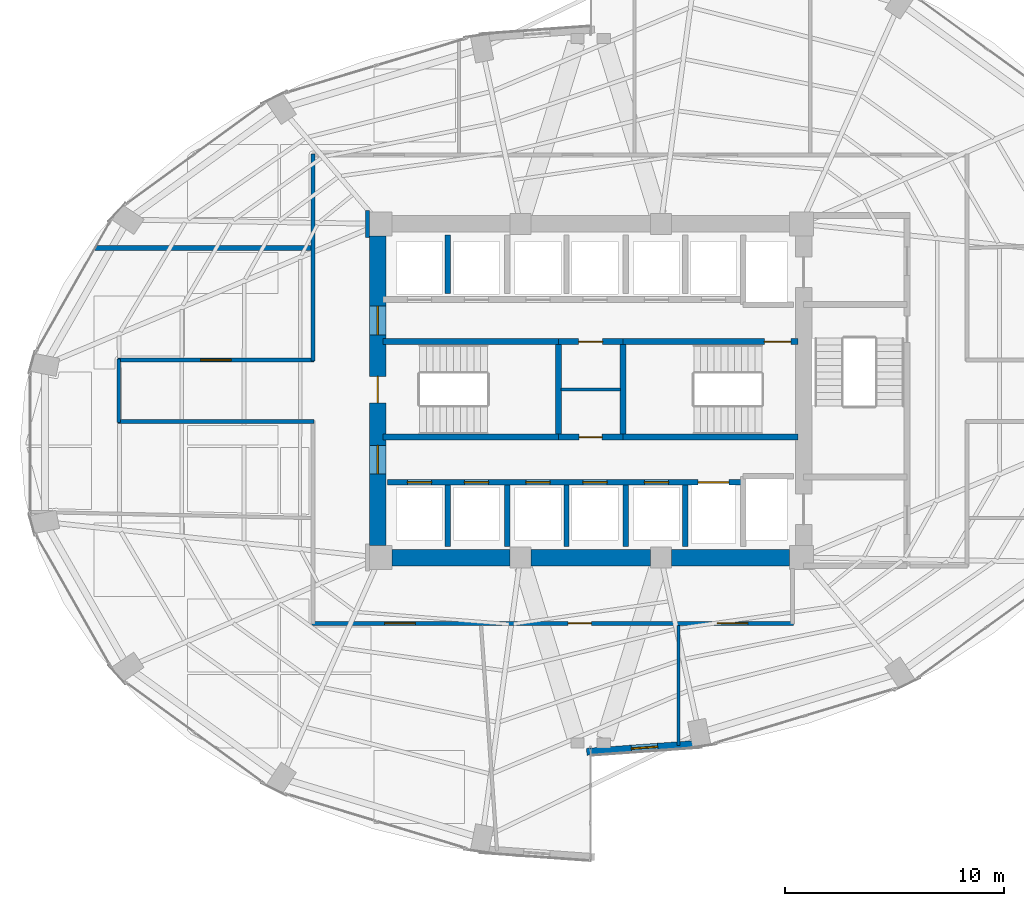
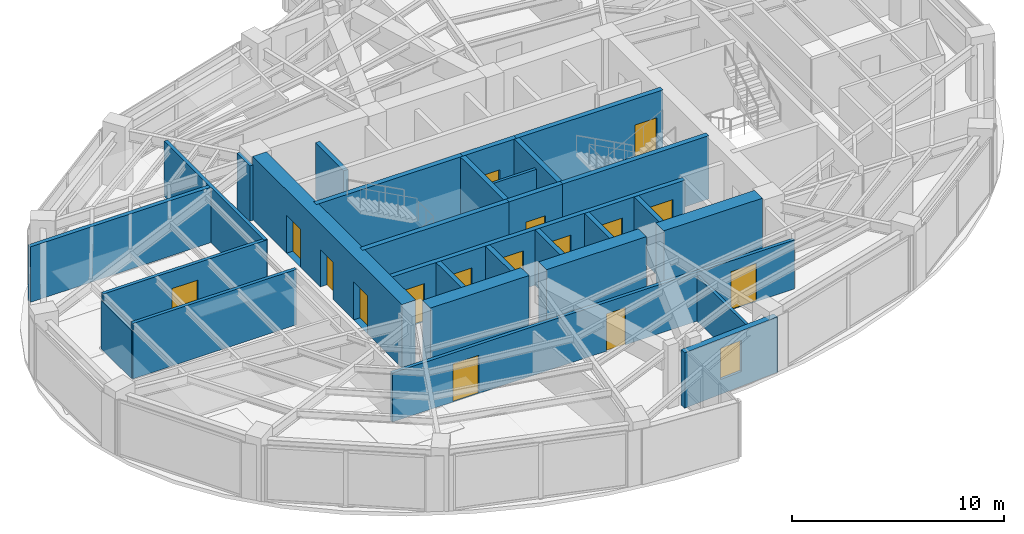
# One storey, part 20 of 24: 29 walls, 16 doors, 1 window, 17 openings.
"""IFC4 building model written with IfcOpenShell, lengths in metres."""

from ifc_helpers import new_model, si_unit, direction, frame, frame_2d, origin, place, context, subcontext, project, spatial, rectangle, extrude, material, layer, layer_set, type_object, element, fill, save


model = new_model("IFC4")

# Units and contexts
model_context = context("Model", 3, precision=1e-05, world=origin(), true_north=direction((0.0, 1.0)))
body_context = subcontext(model_context, "Body", "Model", "MODEL_VIEW")
ifc_project = project(units=[si_unit("LENGTHUNIT", "METRE"), si_unit("AREAUNIT", "SQUARE_METRE"), si_unit("VOLUMEUNIT", "CUBIC_METRE"), si_unit("PLANEANGLEUNIT", "RADIAN"), si_unit("MASSUNIT", "GRAM", prefix="KILO")], contexts=[model_context])

# Site, building, storey
site_placement = place(None, origin())
site = spatial("IfcSite", under=ifc_project, at=site_placement, CompositionType="ELEMENT")
building_placement = place(site_placement, origin())
building = spatial("IfcBuilding", under=site, at=building_placement, Name="Lazwardi Medical Tower", CompositionType="ELEMENT")
storey_placement = place(building_placement, frame((0.0, 0.0, 129.16796875)))
storey = spatial("IfcBuildingStorey", under=building, at=storey_placement, Name="L33", CompositionType="ELEMENT", Elevation=129.16796875)

# Wall
ifc_material_1 = material(Name="Fire-rated gypsum board on steel stud", Category="steel")
ifc_layer_1 = layer(ifc_material_1, 0.179931640625)
ifc_layer_set_1 = layer_set([ifc_layer_1], Name="Fire-rated gypsum board on steel stud")
wall_type_1 = type_object("IfcWallType", Name="WL-COR-180", PredefinedType="PARTITIONING", material=ifc_layer_set_1)
wall_1_placement = place(storey_placement, frame((14.5, 26.56005859375, 0.0), z_axis=(0.0, 0.0, 1.0), x_axis=(0.0, 1.0, 0.0)))
element("IfcWall", 1, at=wall_1_placement, inside=storey, type_object=wall_type_1, Name="L33 Corridor partition 1", PredefinedType="PARTITIONING", context=body_context, shape_type="SweptSolid", body=[
    extrude(rectangle(XDim=2.8798828125, YDim=0.179931640625, at=frame_2d((1.43994140625, 0.0))), origin(), (0.0, 0.0, 1.0), 2.782958984375),
])

# Wall, opening, door
wall_2_placement = place(storey_placement, frame((14.4599609375, 29.39990234375, 0.0), z_axis=(0.0, 0.0, 1.0), x_axis=(1.0, 0.0, 0.0)))
wall_2 = element("IfcWall", 2, at=wall_2_placement, inside=storey, type_object=wall_type_1, Name="L33 Corridor partition 2", PredefinedType="PARTITIONING", context=body_context, shape_type="SweptSolid", body=[
    extrude(rectangle(XDim=8.929931640625, YDim=0.179931640625, at=frame_2d((4.46484375, 0.0))), origin(), (0.0, 0.0, 1.0), 3.197998046875),
])
opening_1_placement = place(wall_2_placement, frame((3.764892578125, 0.0, 0.0)))
opening_1 = element("IfcOpeningElement", 3, at=opening_1_placement, cuts=wall_2, Name="Opening D-L33-015", PredefinedType="OPENING", context=body_context, shape_type="SweptSolid", body=[
    extrude(rectangle(XDim=1.39990234375, YDim=2.199951171875, at=frame_2d((0.699951171875, 1.10009765625))), frame((0.0, 0.099853515625, 0.0), z_axis=(0.0, -1.0, 0.0), x_axis=(1.0, 0.0, 0.0)), (0.0, 0.0, 1.0), 0.199951171875),
])
ifc_material_2 = material(Name="Anti-microbial laminate hospital leaf")
door_type_1 = type_object("IfcDoorType", Name="DR-BED-1400", OperationType="NOTDEFINED", PredefinedType="DOOR", material=ifc_material_2)
door_1_placement = place(opening_1_placement, origin())
door_1 = element("IfcDoor", 4, at=door_1_placement, inside=storey, type_object=door_type_1, Name="L33 Department Reception Foyer Door 09", OperationType="SINGLE_SWING_RIGHT", OverallHeight=2.199951171875, OverallWidth=1.39990234375, PredefinedType="DOOR", context=body_context, shape_type="SweptSolid", body=[
    extrude(rectangle(XDim=1.39990234375, YDim=2.199951171875, at=frame_2d((0.699951171875, 1.10009765625))), frame((0.0, 0.02490234375, 0.0), z_axis=(0.0, -1.0, 0.0), x_axis=(1.0, 0.0, 0.0)), (0.0, 0.0, 1.0), 0.050048828125),
])
fill(opening_1, door_1)

# Walls
wall_3_placement = place(storey_placement, frame((23.35009765625, 29.360107421875, 0.0), z_axis=(0.0, 0.0, 1.0), x_axis=(0.0, 1.0, 0.0)))
element("IfcWall", 5, at=wall_3_placement, inside=storey, type_object=wall_type_1, Name="L33 Corridor partition 3", PredefinedType="PARTITIONING", context=body_context, shape_type="SweptSolid", body=[
    extrude(rectangle(XDim=9.429931640625, YDim=0.179931640625, at=frame_2d((4.71484375, 0.0))), origin(), (0.0, 0.0, 1.0), 3.197998046875),
])
wall_4_placement = place(storey_placement, frame((25.830078125, 36.2099609375, 0.0), z_axis=(0.0, 0.0, 1.0), x_axis=(0.0, -1.0, 0.0)))
element("IfcWall", 6, at=wall_4_placement, inside=storey, type_object=wall_type_1, Name="L33 Corridor partition 11", PredefinedType="PARTITIONING", context=body_context, shape_type="SweptSolid", body=[
    extrude(rectangle(XDim=1.219970703125, YDim=0.179931640625, at=frame_2d((0.60986328125, 0.0))), origin(), (0.0, 0.0, 1.0), 3.197998046875),
])

# Wall, openings, doors
wall_5_placement = place(storey_placement, frame((45.239990234375, 17.39990234375, 0.0), z_axis=(0.0, 0.0, 1.0), x_axis=(-1.0, 0.0, 0.0)))
wall_5 = element("IfcWall", 7, at=wall_5_placement, inside=storey, type_object=wall_type_1, Name="L33 Corridor partition 14", PredefinedType="PARTITIONING", context=body_context, shape_type="SweptSolid", body=[
    extrude(rectangle(XDim=21.929931640625, YDim=0.179931640625, at=frame_2d((10.96484375, 0.0))), origin(), (0.0, 0.0, 1.0), 2.822998046875),
])
opening_2_placement = place(wall_5_placement, frame((17.22314453125, 0.0, 0.0)))
opening_2 = element("IfcOpeningElement", 8, at=opening_2_placement, cuts=wall_5, Name="Opening D-L33-007", PredefinedType="OPENING", context=body_context, shape_type="SweptSolid", body=[
    extrude(rectangle(XDim=1.39990234375, YDim=2.199951171875, at=frame_2d((0.699951171875, 1.10009765625))), frame((0.0, 0.099853515625, 0.0), z_axis=(0.0, -1.0, 0.0), x_axis=(1.0, 0.0, 0.0)), (0.0, 0.0, 1.0), 0.199951171875),
])
opening_3_placement = place(wall_5_placement, frame((9.212158203125, 0.0, 0.0)))
opening_3 = element("IfcOpeningElement", 9, at=opening_3_placement, cuts=wall_5, Name="Opening D-L33-008", PredefinedType="OPENING", context=body_context, shape_type="SweptSolid", body=[
    extrude(rectangle(XDim=1.050048828125, YDim=2.14990234375, at=frame_2d((0.52490234375, 1.074951171875))), frame((0.0, 0.099853515625, 0.0), z_axis=(0.0, -1.0, 0.0), x_axis=(1.0, 0.0, 0.0)), (0.0, 0.0, 1.0), 0.199951171875),
])
opening_4_placement = place(wall_5_placement, frame((2.0791015625, 0.0, 0.0)))
opening_4 = element("IfcOpeningElement", 10, at=opening_4_placement, cuts=wall_5, Name="Opening D-L33-009", PredefinedType="OPENING", context=body_context, shape_type="SweptSolid", body=[
    extrude(rectangle(XDim=1.39990234375, YDim=2.199951171875, at=frame_2d((0.699951171875, 1.10009765625))), frame((0.0, 0.099853515625, 0.0), z_axis=(0.0, -1.0, 0.0), x_axis=(1.0, 0.0, 0.0)), (0.0, 0.0, 1.0), 0.199951171875),
])
door_2_placement = place(opening_2_placement, origin())
door_2 = element("IfcDoor", 11, at=door_2_placement, inside=storey, type_object=door_type_1, Name="L33 Sky Lobby Door 01", OperationType="SINGLE_SWING_RIGHT", OverallHeight=2.199951171875, OverallWidth=1.39990234375, PredefinedType="DOOR", context=body_context, shape_type="SweptSolid", body=[
    extrude(rectangle(XDim=1.39990234375, YDim=2.199951171875, at=frame_2d((0.699951171875, 1.10009765625))), frame((0.0, 0.02490234375, 0.0), z_axis=(0.0, -1.0, 0.0), x_axis=(1.0, 0.0, 0.0)), (0.0, 0.0, 1.0), 0.050048828125),
])
fill(opening_2, door_2)
door_3_placement = place(opening_4_placement, origin())
door_3 = element("IfcDoor", 12, at=door_3_placement, inside=storey, type_object=door_type_1, Name="L33 Patient Day Lounge Door 03", OperationType="SINGLE_SWING_RIGHT", OverallHeight=2.199951171875, OverallWidth=1.39990234375, PredefinedType="DOOR", context=body_context, shape_type="SweptSolid", body=[
    extrude(rectangle(XDim=1.39990234375, YDim=2.199951171875, at=frame_2d((0.699951171875, 1.10009765625))), frame((0.0, 0.02490234375, 0.0), z_axis=(0.0, -1.0, 0.0), x_axis=(1.0, 0.0, 0.0)), (0.0, 0.0, 1.0), 0.050048828125),
])
fill(opening_4, door_3)
door_type_2 = type_object("IfcDoorType", Name="DR-CLN-1050", OperationType="NOTDEFINED", PredefinedType="DOOR", material=ifc_material_2)
door_4_placement = place(opening_3_placement, origin())
door_4 = element("IfcDoor", 13, at=door_4_placement, inside=storey, type_object=door_type_2, Name="L33 Outpatient Clinic Door 02", OperationType="SINGLE_SWING_LEFT", OverallHeight=2.14990234375, OverallWidth=1.050048828125, PredefinedType="DOOR", context=body_context, shape_type="SweptSolid", body=[
    extrude(rectangle(XDim=1.050048828125, YDim=2.14990234375, at=frame_2d((0.52490234375, 1.074951171875))), frame((0.0, 0.02490234375, 0.0), z_axis=(0.0, -1.0, 0.0), x_axis=(1.0, 0.0, 0.0)), (0.0, 0.0, 1.0), 0.050048828125),
])
fill(opening_3, door_4)

# Wall
wall_6_placement = place(storey_placement, frame((23.389892578125, 26.60009765625, 0.0), z_axis=(0.0, 0.0, 1.0), x_axis=(-1.0, 0.0, 0.0)))
element("IfcWall", 14, at=wall_6_placement, inside=storey, type_object=wall_type_1, Name="L33 Corridor partition 16", PredefinedType="PARTITIONING", context=body_context, shape_type="SweptSolid", body=[
    extrude(rectangle(XDim=8.929931640625, YDim=0.179931640625, at=frame_2d((4.46484375, 0.0))), origin(), (0.0, 0.0, 1.0), 3.197998046875),
])

# Wall, openings, doors
ifc_material_3 = material(Name="Concrete C70/85", Category="concrete")
ifc_layer_2 = layer(ifc_material_3, 0.75)
ifc_layer_set_2 = layer_set([ifc_layer_2], Name="Concrete C70/85")
wall_type_2 = type_object("IfcWallType", Name="WL-CORE-750", PredefinedType="SHEAR", material=ifc_layer_set_2)
wall_7_placement = place(storey_placement, frame((26.300048828125, 20.949951171875, 0.0), z_axis=(0.0, 0.0, 1.0), x_axis=(0.0, 1.0, 0.0)))
wall_7 = element("IfcWall", 15, at=wall_7_placement, inside=storey, type_object=wall_type_2, Name="Core wall CW-S2 west L33", PredefinedType="SHEAR", context=body_context, shape_type="SweptSolid", body=[
    extrude(rectangle(XDim=14.10009765625, YDim=0.75, at=frame_2d((7.050048828125, 0.0))), origin(), (0.0, 0.0, 1.0), 3.64794921875),
])
opening_5_placement = place(wall_7_placement, frame((6.5, 0.0, 0.0)))
opening_5 = element("IfcOpeningElement", 16, at=opening_5_placement, cuts=wall_7, Name="Opening D-L33-016", PredefinedType="OPENING", context=body_context, shape_type="SweptSolid", body=[
    extrude(rectangle(XDim=1.199951171875, YDim=2.14990234375, at=frame_2d((0.60009765625, 1.074951171875))), frame((0.0, 0.385009765625, 0.0), z_axis=(0.0, -1.0, 0.0), x_axis=(1.0, 0.0, 0.0)), (0.0, 0.0, 1.0), 0.77001953125),
])
opening_6_placement = place(wall_7_placement, frame((9.60009765625, 0.0, 0.0)))
opening_6 = element("IfcOpeningElement", 17, at=opening_6_placement, cuts=wall_7, Name="Opening D-L33-005", PredefinedType="OPENING", context=body_context, shape_type="SweptSolid", body=[
    extrude(rectangle(XDim=1.300048828125, YDim=2.199951171875, at=frame_2d((0.64990234375, 1.10009765625))), frame((0.0, 0.385009765625, 0.0), z_axis=(0.0, -1.0, 0.0), x_axis=(1.0, 0.0, 0.0)), (0.0, 0.0, 1.0), 0.77001953125),
])
opening_7_placement = place(wall_7_placement, frame((3.260009765625, 0.0, 0.0)))
opening_7 = element("IfcOpeningElement", 18, at=opening_7_placement, cuts=wall_7, Name="Opening D-L33-006", PredefinedType="OPENING", context=body_context, shape_type="SweptSolid", body=[
    extrude(rectangle(XDim=1.300048828125, YDim=2.199951171875, at=frame_2d((0.64990234375, 1.10009765625))), frame((0.0, 0.385009765625, 0.0), z_axis=(0.0, -1.0, 0.0), x_axis=(1.0, 0.0, 0.0)), (0.0, 0.0, 1.0), 0.77001953125),
])
ifc_material_4 = material(Name="Fire-rated steel leaf and frame", Category="steel")
door_type_3 = type_object("IfcDoorType", Name="DR-FFL-1300", OperationType="NOTDEFINED", PredefinedType="DOOR", material=ifc_material_4)
door_5_placement = place(opening_6_placement, origin())
door_5 = element("IfcDoor", 19, at=door_5_placement, inside=storey, type_object=door_type_3, Name="L33 North Lift Lobby Door", OperationType="SINGLE_SWING_LEFT", OverallHeight=2.199951171875, OverallWidth=1.300048828125, PredefinedType="DOOR", context=body_context, shape_type="SweptSolid", body=[
    extrude(rectangle(XDim=1.300048828125, YDim=2.199951171875, at=frame_2d((0.64990234375, 1.10009765625))), frame((0.0, 0.02490234375, 0.0), z_axis=(0.0, -1.0, 0.0), x_axis=(1.0, 0.0, 0.0)), (0.0, 0.0, 1.0), 0.050048828125),
])
fill(opening_6, door_5)
door_6_placement = place(opening_7_placement, origin())
door_6 = element("IfcDoor", 20, at=door_6_placement, inside=storey, type_object=door_type_3, Name="L33 South Lift Lobby Door", OperationType="SINGLE_SWING_RIGHT", OverallHeight=2.199951171875, OverallWidth=1.300048828125, PredefinedType="DOOR", context=body_context, shape_type="SweptSolid", body=[
    extrude(rectangle(XDim=1.300048828125, YDim=2.199951171875, at=frame_2d((0.64990234375, 1.10009765625))), frame((0.0, 0.02490234375, 0.0), z_axis=(0.0, -1.0, 0.0), x_axis=(1.0, 0.0, 0.0)), (0.0, 0.0, 1.0), 0.050048828125),
])
fill(opening_7, door_6)
door_type_4 = type_object("IfcDoorType", Name="DR-STR-1200", OperationType="NOTDEFINED", PredefinedType="DOOR", material=ifc_material_4)
door_7_placement = place(opening_5_placement, origin())
door_7 = element("IfcDoor", 21, at=door_7_placement, inside=storey, type_object=door_type_4, Name="L33 Exit Stair ST1 Door", OperationType="SINGLE_SWING_LEFT", OverallHeight=2.14990234375, OverallWidth=1.199951171875, PredefinedType="DOOR", context=body_context, shape_type="SweptSolid", body=[
    extrude(rectangle(XDim=1.199951171875, YDim=2.14990234375, at=frame_2d((0.60009765625, 1.074951171875))), frame((0.0, 0.02490234375, 0.0), z_axis=(0.0, -1.0, 0.0), x_axis=(1.0, 0.0, 0.0)), (0.0, 0.0, 1.0), 0.050048828125),
])
fill(opening_5, door_7)

# Walls
wall_8_placement = place(storey_placement, frame((26.949951171875, 20.39990234375, 0.0), z_axis=(0.0, 0.0, 1.0), x_axis=(1.0, 0.0, 0.0)))
element("IfcWall", 22, at=wall_8_placement, inside=storey, type_object=wall_type_2, Name="Core wall CW-S2 S1 L33", PredefinedType="SHEAR", context=body_context, shape_type="SweptSolid", body=[
    extrude(rectangle(XDim=5.375, YDim=0.75, at=frame_2d((2.6875, 0.0))), origin(), (0.0, 0.0, 1.0), 3.64794921875),
])
wall_9_placement = place(storey_placement, frame((33.27490234375, 20.39990234375, 0.0), z_axis=(0.0, 0.0, 1.0), x_axis=(1.0, 0.0, 0.0)))
element("IfcWall", 23, at=wall_9_placement, inside=storey, type_object=wall_type_2, Name="Core wall CW-S2 S2 L33", PredefinedType="SHEAR", context=body_context, shape_type="SweptSolid", body=[
    extrude(rectangle(XDim=5.4501953125, YDim=0.75, at=frame_2d((2.72509765625, 0.0))), origin(), (0.0, 0.0, 1.0), 3.64794921875),
])
wall_10_placement = place(storey_placement, frame((39.675048828125, 20.39990234375, 0.0), z_axis=(0.0, 0.0, 1.0), x_axis=(1.0, 0.0, 0.0)))
element("IfcWall", 24, at=wall_10_placement, inside=storey, type_object=wall_type_2, Name="Core wall CW-S2 S3 L33", PredefinedType="SHEAR", context=body_context, shape_type="SweptSolid", body=[
    extrude(rectangle(XDim=5.375, YDim=0.75, at=frame_2d((2.6875, 0.0))), origin(), (0.0, 0.0, 1.0), 3.64794921875),
])

# Wall, opening, window
ifc_material_5 = material(Name="Precast concrete C45/55", Category="concrete")
ifc_layer_3 = layer(ifc_material_5, 0.320068359375)
ifc_layer_set_3 = layer_set([ifc_layer_3], Name="Precast concrete C45/55")
wall_type_3 = type_object("IfcWallType", Name="WL-IWAN-320", PredefinedType="SOLIDWALL", material=ifc_layer_set_3)
wall_11_placement = place(storey_placement, frame((35.820556640625, 11.547119140625, 0.0), z_axis=(0.0, 0.0, 1.0), x_axis=(0.997432364291, 0.071614793619, 0.0)))
wall_11 = element("IfcWall", 25, at=wall_11_placement, inside=storey, type_object=wall_type_3, Name="L33 Iwan Portal Return Wall SE_ret", PredefinedType="SOLIDWALL", context=body_context, shape_type="SweptSolid", body=[
    extrude(rectangle(XDim=5.2841796875, YDim=0.320068359375, at=frame_2d((2.64208984375, 0.0))), origin(), (0.0, 0.0, 1.0), 3.197998046875),
])
opening_8_placement = place(wall_11_placement, frame((2.0419921875, 0.0, 0.85009765625)))
opening_8 = element("IfcOpeningElement", 26, at=opening_8_placement, cuts=wall_11, Name="Opening WN-04", PredefinedType="OPENING", context=body_context, shape_type="SweptSolid", body=[
    extrude(rectangle(XDim=1.199951171875, YDim=1.800048828125, at=frame_2d((0.60009765625, 0.89990234375))), frame((0.0, 0.169921875, 0.0), z_axis=(0.0, -1.0, 0.0), x_axis=(1.0, 0.0, 0.0)), (0.0, 0.0, 1.0), 0.340087890625),
])
ifc_material_6 = material(Name="Low-e bronze solar control double glazing", Category="glass")
window_type = type_object("IfcWindowType", Name="WIN-DRUM-1200", PartitioningType="SINGLE_PANEL", PredefinedType="WINDOW", material=ifc_material_6)
window_placement = place(opening_8_placement, origin())
window = element("IfcWindow", 27, at=window_placement, inside=storey, type_object=window_type, Name="L33 Iwan Slot Window SE_ret", OverallHeight=1.800048828125, OverallWidth=1.199951171875, PartitioningType="SINGLE_PANEL", PredefinedType="WINDOW", context=body_context, shape_type="SweptSolid", body=[
    extrude(rectangle(XDim=1.199951171875, YDim=1.800048828125, at=frame_2d((0.60009765625, 0.89990234375))), frame((0.0, 0.030029296875, 0.0), z_axis=(0.0, -1.0, 0.0), x_axis=(1.0, 0.0, 0.0)), (0.0, 0.0, 1.0), 0.06005859375),
])
fill(opening_8, window)

# Wall, openings, doors
ifc_material_7 = material(Name="Autoclaved aerated concrete blockwork", Category="masonry")
ifc_layer_4 = layer(ifc_material_7, 0.25)
ifc_layer_set_4 = layer_set([ifc_layer_4], Name="Autoclaved aerated concrete blockwork")
wall_type_4 = type_object("IfcWallType", Name="WL-SHAFT-250", PredefinedType="SOLIDWALL", material=ifc_layer_set_4)
wall_12_placement = place(storey_placement, frame((26.75, 23.830078125, 0.0), z_axis=(0.0, 0.0, 1.0), x_axis=(1.0, 0.0, 0.0)))
wall_12 = element("IfcWall", 28, at=wall_12_placement, inside=storey, type_object=wall_type_4, Name="L33 South lift bank front wall", PredefinedType="SOLIDWALL", context=body_context, shape_type="SweptSolid", body=[
    extrude(rectangle(XDim=16.199951171875, YDim=0.25, at=frame_2d((8.10009765625, 0.0))), origin(), (0.0, 0.0, 1.0), 3.197998046875),
])
opening_9_placement = place(wall_12_placement, frame((0.89990234375, 0.0, 0.0)))
opening_9 = element("IfcOpeningElement", 29, at=opening_9_placement, cuts=wall_12, Name="Opening LD-L33-006", PredefinedType="OPENING", context=body_context, shape_type="SweptSolid", body=[
    extrude(rectangle(XDim=1.10009765625, YDim=2.199951171875, at=frame_2d((0.550048828125, 1.10009765625))), frame((0.0, 0.135009765625, 0.0), z_axis=(0.0, -1.0, 0.0), x_axis=(1.0, 0.0, 0.0)), (0.0, 0.0, 1.0), 0.27001953125),
])
opening_10_placement = place(wall_12_placement, frame((3.5, 0.0, 0.0)))
opening_10 = element("IfcOpeningElement", 30, at=opening_10_placement, cuts=wall_12, Name="Opening LD-L33-007", PredefinedType="OPENING", context=body_context, shape_type="SweptSolid", body=[
    extrude(rectangle(XDim=1.10009765625, YDim=2.199951171875, at=frame_2d((0.550048828125, 1.10009765625))), frame((0.0, 0.135009765625, 0.0), z_axis=(0.0, -1.0, 0.0), x_axis=(1.0, 0.0, 0.0)), (0.0, 0.0, 1.0), 0.27001953125),
])
opening_11_placement = place(wall_12_placement, frame((6.300048828125, 0.0, 0.0)))
opening_11 = element("IfcOpeningElement", 31, at=opening_11_placement, cuts=wall_12, Name="Opening LD-L33-010", PredefinedType="OPENING", context=body_context, shape_type="SweptSolid", body=[
    extrude(rectangle(XDim=1.10009765625, YDim=2.199951171875, at=frame_2d((0.550048828125, 1.10009765625))), frame((0.0, 0.135009765625, 0.0), z_axis=(0.0, -1.0, 0.0), x_axis=(1.0, 0.0, 0.0)), (0.0, 0.0, 1.0), 0.27001953125),
])
opening_12_placement = place(wall_12_placement, frame((8.89990234375, 0.0, 0.0)))
opening_12 = element("IfcOpeningElement", 32, at=opening_12_placement, cuts=wall_12, Name="Opening LD-L33-011", PredefinedType="OPENING", context=body_context, shape_type="SweptSolid", body=[
    extrude(rectangle(XDim=1.10009765625, YDim=2.199951171875, at=frame_2d((0.550048828125, 1.10009765625))), frame((0.0, 0.135009765625, 0.0), z_axis=(0.0, -1.0, 0.0), x_axis=(1.0, 0.0, 0.0)), (0.0, 0.0, 1.0), 0.27001953125),
])
opening_13_placement = place(wall_12_placement, frame((11.699951171875, 0.0, 0.0)))
opening_13 = element("IfcOpeningElement", 33, at=opening_13_placement, cuts=wall_12, Name="Opening LD-L33-014", PredefinedType="OPENING", context=body_context, shape_type="SweptSolid", body=[
    extrude(rectangle(XDim=1.10009765625, YDim=2.199951171875, at=frame_2d((0.550048828125, 1.10009765625))), frame((0.0, 0.135009765625, 0.0), z_axis=(0.0, -1.0, 0.0), x_axis=(1.0, 0.0, 0.0)), (0.0, 0.0, 1.0), 0.27001953125),
])
opening_14_placement = place(wall_12_placement, frame((14.14990234375, 0.0, 0.0)))
opening_14 = element("IfcOpeningElement", 34, at=opening_14_placement, cuts=wall_12, Name="Opening LD-L33-003", PredefinedType="OPENING", context=body_context, shape_type="SweptSolid", body=[
    extrude(rectangle(XDim=1.39990234375, YDim=2.300048828125, at=frame_2d((0.699951171875, 1.14990234375))), frame((0.0, 0.135009765625, 0.0), z_axis=(0.0, -1.0, 0.0), x_axis=(1.0, 0.0, 0.0)), (0.0, 0.0, 1.0), 0.27001953125),
])
ifc_material_8 = material(Name="Brushed bronze stainless steel landing door", Category="steel")
door_type_5 = type_object("IfcDoorType", Name="DR-LFT-1100", OperationType="NOTDEFINED", PredefinedType="DOOR", material=ifc_material_8)
door_8_placement = place(opening_9_placement, origin())
door_8 = element("IfcDoor", 35, at=door_8_placement, inside=storey, type_object=door_type_5, Name="L33 Lift Landing Door PL-03", OperationType="SLIDING_TO_LEFT", OverallHeight=2.199951171875, OverallWidth=1.10009765625, PredefinedType="DOOR", context=body_context, shape_type="SweptSolid", body=[
    extrude(rectangle(XDim=1.10009765625, YDim=2.199951171875, at=frame_2d((0.550048828125, 1.10009765625))), frame((0.0, 0.02490234375, 0.0), z_axis=(0.0, -1.0, 0.0), x_axis=(1.0, 0.0, 0.0)), (0.0, 0.0, 1.0), 0.050048828125),
])
fill(opening_9, door_8)
door_9_placement = place(opening_10_placement, origin())
door_9 = element("IfcDoor", 36, at=door_9_placement, inside=storey, type_object=door_type_5, Name="L33 Lift Landing Door PL-04", OperationType="SLIDING_TO_LEFT", OverallHeight=2.199951171875, OverallWidth=1.10009765625, PredefinedType="DOOR", context=body_context, shape_type="SweptSolid", body=[
    extrude(rectangle(XDim=1.10009765625, YDim=2.199951171875, at=frame_2d((0.550048828125, 1.10009765625))), frame((0.0, 0.02490234375, 0.0), z_axis=(0.0, -1.0, 0.0), x_axis=(1.0, 0.0, 0.0)), (0.0, 0.0, 1.0), 0.050048828125),
])
fill(opening_10, door_9)
door_10_placement = place(opening_11_placement, origin())
door_10 = element("IfcDoor", 37, at=door_10_placement, inside=storey, type_object=door_type_5, Name="L33 Lift Landing Door PL-07", OperationType="SLIDING_TO_LEFT", OverallHeight=2.199951171875, OverallWidth=1.10009765625, PredefinedType="DOOR", context=body_context, shape_type="SweptSolid", body=[
    extrude(rectangle(XDim=1.10009765625, YDim=2.199951171875, at=frame_2d((0.550048828125, 1.10009765625))), frame((0.0, 0.02490234375, 0.0), z_axis=(0.0, -1.0, 0.0), x_axis=(1.0, 0.0, 0.0)), (0.0, 0.0, 1.0), 0.050048828125),
])
fill(opening_11, door_10)
door_11_placement = place(opening_12_placement, origin())
door_11 = element("IfcDoor", 38, at=door_11_placement, inside=storey, type_object=door_type_5, Name="L33 Lift Landing Door PL-08", OperationType="SLIDING_TO_LEFT", OverallHeight=2.199951171875, OverallWidth=1.10009765625, PredefinedType="DOOR", context=body_context, shape_type="SweptSolid", body=[
    extrude(rectangle(XDim=1.10009765625, YDim=2.199951171875, at=frame_2d((0.550048828125, 1.10009765625))), frame((0.0, 0.02490234375, 0.0), z_axis=(0.0, -1.0, 0.0), x_axis=(1.0, 0.0, 0.0)), (0.0, 0.0, 1.0), 0.050048828125),
])
fill(opening_12, door_11)
door_12_placement = place(opening_13_placement, origin())
door_12 = element("IfcDoor", 39, at=door_12_placement, inside=storey, type_object=door_type_5, Name="L33 Lift Landing Door PL-11", OperationType="SLIDING_TO_LEFT", OverallHeight=2.199951171875, OverallWidth=1.10009765625, PredefinedType="DOOR", context=body_context, shape_type="SweptSolid", body=[
    extrude(rectangle(XDim=1.10009765625, YDim=2.199951171875, at=frame_2d((0.550048828125, 1.10009765625))), frame((0.0, 0.02490234375, 0.0), z_axis=(0.0, -1.0, 0.0), x_axis=(1.0, 0.0, 0.0)), (0.0, 0.0, 1.0), 0.050048828125),
])
fill(opening_13, door_12)
ifc_material_9 = material(Name="Brushed stainless steel bed-lift landing door", Category="steel")
door_type_6 = type_object("IfcDoorType", Name="DR-LFT-1400", OperationType="NOTDEFINED", PredefinedType="DOOR", material=ifc_material_9)
door_13_placement = place(opening_14_placement, origin())
door_13 = element("IfcDoor", 40, at=door_13_placement, inside=storey, type_object=door_type_6, Name="L33 Lift Landing Door FL-03", OperationType="SLIDING_TO_LEFT", OverallHeight=2.300048828125, OverallWidth=1.39990234375, PredefinedType="DOOR", context=body_context, shape_type="SweptSolid", body=[
    extrude(rectangle(XDim=1.39990234375, YDim=2.300048828125, at=frame_2d((0.699951171875, 1.14990234375))), frame((0.0, 0.02490234375, 0.0), z_axis=(0.0, -1.0, 0.0), x_axis=(1.0, 0.0, 0.0)), (0.0, 0.0, 1.0), 0.050048828125),
])
fill(opening_14, door_13)

# Walls
wall_13_placement = place(storey_placement, frame((29.5, 32.419921875, 0.0), z_axis=(0.0, 0.0, 1.0), x_axis=(0.0, 1.0, 0.0)))
element("IfcWall", 41, at=wall_13_placement, inside=storey, type_object=wall_type_4, Name="L33 North hoistway divider", PredefinedType="SOLIDWALL", context=body_context, shape_type="SweptSolid", body=[
    extrude(rectangle(XDim=2.68017578125, YDim=0.25, at=frame_2d((1.340087890625, 0.0))), origin(), (0.0, 0.0, 1.0), 3.197998046875),
])
for number, where, z_axis, x_axis, name in (
    (42, (29.5, 20.89990234375, 0.0), (0.0, 0.0, 1.0), (0.0, 1.0, 0.0), "L33 South hoistway divider"),
    (43, (32.199951171875, 20.89990234375, 0.0), (0.0, 0.0, 1.0), (0.0, 1.0, 0.0), "L33 South hoistway divider"),
    (44, (34.89990234375, 20.89990234375, 0.0), (0.0, 0.0, 1.0), (0.0, 1.0, 0.0), "L33 South hoistway divider"),
    (45, (37.60009765625, 20.89990234375, 0.0), (0.0, 0.0, 1.0), (0.0, 1.0, 0.0), "L33 South hoistway divider"),
    (46, (40.300048828125, 20.89990234375, 0.0), (0.0, 0.0, 1.0), (0.0, 1.0, 0.0), "L33 South hoistway divider"),
):
    element("IfcWall", number, at=place(storey_placement, frame(where, z_axis=z_axis, x_axis=x_axis)), inside=storey, type_object=wall_type_4, Name=name, PredefinedType="SOLIDWALL", context=body_context, shape_type="SweptSolid", body=[
        extrude(rectangle(XDim=2.800048828125, YDim=0.25, at=frame_2d((1.39990234375, 0.0))), origin(), (0.0, 0.0, 1.0), 3.197998046875),
    ])
ifc_layer_5 = layer(ifc_material_1, 0.219970703125)
ifc_layer_set_5 = layer_set([ifc_layer_5], Name="Fire-rated gypsum board on steel stud")
wall_type_5 = type_object("IfcWallType", Name="WL-SMK-220", PredefinedType="PARTITIONING", material=ifc_layer_set_5)
wall_14_placement = place(storey_placement, frame((13.426025390625, 34.5, 0.0), z_axis=(0.0, 0.0, 1.0), x_axis=(1.0, 0.0, 0.0)))
element("IfcWall", 47, at=wall_14_placement, inside=storey, type_object=wall_type_5, Name="L33 Room partition 2", PredefinedType="PARTITIONING", context=body_context, shape_type="SweptSolid", body=[
    extrude(rectangle(XDim=9.833984375, YDim=0.219970703125, at=frame_2d((4.9169921875, 0.0))), origin(), (0.0, 0.0, 1.0), 3.197998046875),
])
ifc_material_10 = material(Name="Concrete C50/60", Category="concrete")
ifc_layer_6 = layer(ifc_material_10, 0.27001953125)
ifc_layer_set_6 = layer_set([ifc_layer_6], Name="Concrete C50/60")
wall_type_6 = type_object("IfcWallType", Name="WL-STR-250", PredefinedType="SHEAR", material=ifc_layer_set_6)
wall_15_placement = place(storey_placement, frame((26.550048828125, 30.235107421875, 0.0), z_axis=(0.0, 0.0, 1.0), x_axis=(1.0, 0.0, 0.0)))
element("IfcWall", 48, at=wall_15_placement, inside=storey, type_object=wall_type_6, Name="L33 ST1 North shear shaft wall SW-S1", PredefinedType="SHEAR", context=body_context, shape_type="SweptSolid", body=[
    extrude(rectangle(XDim=7.98486328125, YDim=0.27001953125, at=frame_2d((3.992431640625, 0.0))), origin(), (0.0, 0.0, 1.0), 3.64794921875),
])

# Wall, opening, door
wall_16_placement = place(storey_placement, frame((34.534912109375, 30.235107421875, 0.0), z_axis=(0.0, 0.0, 1.0), x_axis=(1.0, 0.0, 0.0)))
wall_16 = element("IfcWall", 49, at=wall_16_placement, inside=storey, type_object=wall_type_6, Name="L33 Core service North shear wall SW-S1", PredefinedType="SHEAR", context=body_context, shape_type="SweptSolid", body=[
    extrude(rectangle(XDim=2.93017578125, YDim=0.27001953125, at=frame_2d((1.465087890625, 0.0))), origin(), (0.0, 0.0, 1.0), 3.64794921875),
])
opening_15_placement = place(wall_16_placement, frame((0.9150390625, 0.0, 0.0)))
opening_15 = element("IfcOpeningElement", 50, at=opening_15_placement, cuts=wall_16, Name="Opening D-L33-002", PredefinedType="OPENING", context=body_context, shape_type="SweptSolid", body=[
    extrude(rectangle(XDim=1.10009765625, YDim=2.14990234375, at=frame_2d((0.550048828125, 1.074951171875))), frame((0.0, 0.14501953125, 0.0), z_axis=(0.0, -1.0, 0.0), x_axis=(1.0, 0.0, 0.0)), (0.0, 0.0, 1.0), 0.2900390625),
])
door_type_7 = type_object("IfcDoorType", Name="DR-PLT-1100", OperationType="NOTDEFINED", PredefinedType="DOOR", material=ifc_material_4)
door_14_placement = place(opening_15_placement, origin())
door_14 = element("IfcDoor", 51, at=door_14_placement, inside=storey, type_object=door_type_7, Name="L33 Electrical Room Door", OperationType="SINGLE_SWING_RIGHT", OverallHeight=2.14990234375, OverallWidth=1.10009765625, PredefinedType="DOOR", context=body_context, shape_type="SweptSolid", body=[
    extrude(rectangle(XDim=1.10009765625, YDim=2.14990234375, at=frame_2d((0.550048828125, 1.074951171875))), frame((0.0, 0.02490234375, 0.0), z_axis=(0.0, -1.0, 0.0), x_axis=(1.0, 0.0, 0.0)), (0.0, 0.0, 1.0), 0.050048828125),
])
fill(opening_15, door_14)

wall_17_placement = place(storey_placement, frame((37.465087890625, 30.235107421875, 0.0), z_axis=(0.0, 0.0, 1.0), x_axis=(1.0, 0.0, 0.0)))
wall_17 = element("IfcWall", 52, at=wall_17_placement, inside=storey, type_object=wall_type_6, Name="L33 ST2 North shear shaft wall SW-S1", PredefinedType="SHEAR", context=body_context, shape_type="SweptSolid", body=[
    extrude(rectangle(XDim=7.98486328125, YDim=0.27001953125, at=frame_2d((3.992431640625, 0.0))), origin(), (0.0, 0.0, 1.0), 3.64794921875),
])
opening_16_placement = place(wall_17_placement, frame((6.455078125, 0.0, 0.0)))
opening_16 = element("IfcOpeningElement", 53, at=opening_16_placement, cuts=wall_17, Name="Opening D-L33-017", PredefinedType="OPENING", context=body_context, shape_type="SweptSolid", body=[
    extrude(rectangle(XDim=1.199951171875, YDim=2.14990234375, at=frame_2d((0.60009765625, 1.074951171875))), frame((0.0, 0.14501953125, 0.0), z_axis=(0.0, -1.0, 0.0), x_axis=(1.0, 0.0, 0.0)), (0.0, 0.0, 1.0), 0.2900390625),
])
door_15_placement = place(opening_16_placement, origin())
door_15 = element("IfcDoor", 54, at=door_15_placement, inside=storey, type_object=door_type_4, Name="L33 Exit Stair ST2 Door", OperationType="SINGLE_SWING_RIGHT", OverallHeight=2.14990234375, OverallWidth=1.199951171875, PredefinedType="DOOR", context=body_context, shape_type="SweptSolid", body=[
    extrude(rectangle(XDim=1.199951171875, YDim=2.14990234375, at=frame_2d((0.60009765625, 1.074951171875))), frame((0.0, 0.02490234375, 0.0), z_axis=(0.0, -1.0, 0.0), x_axis=(1.0, 0.0, 0.0)), (0.0, 0.0, 1.0), 0.050048828125),
])
fill(opening_16, door_15)

# Wall
wall_18_placement = place(storey_placement, frame((26.550048828125, 25.885009765625, 0.0), z_axis=(0.0, 0.0, 1.0), x_axis=(1.0, 0.0, 0.0)))
element("IfcWall", 55, at=wall_18_placement, inside=storey, type_object=wall_type_6, Name="L33 ST1 South shear shaft wall SW-S1", PredefinedType="SHEAR", context=body_context, shape_type="SweptSolid", body=[
    extrude(rectangle(XDim=7.98486328125, YDim=0.27001953125, at=frame_2d((3.992431640625, 0.0))), origin(), (0.0, 0.0, 1.0), 3.64794921875),
])

# Wall, opening, door
wall_19_placement = place(storey_placement, frame((34.534912109375, 25.885009765625, 0.0), z_axis=(0.0, 0.0, 1.0), x_axis=(1.0, 0.0, 0.0)))
wall_19 = element("IfcWall", 56, at=wall_19_placement, inside=storey, type_object=wall_type_6, Name="L33 Core service South shear wall SW-S1", PredefinedType="SHEAR", context=body_context, shape_type="SweptSolid", body=[
    extrude(rectangle(XDim=2.93017578125, YDim=0.27001953125, at=frame_2d((1.465087890625, 0.0))), origin(), (0.0, 0.0, 1.0), 3.64794921875),
])
opening_17_placement = place(wall_19_placement, frame((0.93994140625, 0.0, 0.0)))
opening_17 = element("IfcOpeningElement", 57, at=opening_17_placement, cuts=wall_19, Name="Opening D-L33-001", PredefinedType="OPENING", context=body_context, shape_type="SweptSolid", body=[
    extrude(rectangle(XDim=1.050048828125, YDim=2.14990234375, at=frame_2d((0.52490234375, 1.074951171875))), frame((0.0, 0.14501953125, 0.0), z_axis=(0.0, -1.0, 0.0), x_axis=(1.0, 0.0, 0.0)), (0.0, 0.0, 1.0), 0.2900390625),
])
door_16_placement = place(opening_17_placement, origin())
door_16 = element("IfcDoor", 58, at=door_16_placement, inside=storey, type_object=door_type_2, Name="L33 Dirty Sluice Door", OperationType="SINGLE_SWING_LEFT", OverallHeight=2.14990234375, OverallWidth=1.050048828125, PredefinedType="DOOR", context=body_context, shape_type="SweptSolid", body=[
    extrude(rectangle(XDim=1.050048828125, YDim=2.14990234375, at=frame_2d((0.52490234375, 1.074951171875))), frame((0.0, 0.02490234375, 0.0), z_axis=(0.0, -1.0, 0.0), x_axis=(1.0, 0.0, 0.0)), (0.0, 0.0, 1.0), 0.050048828125),
])
fill(opening_17, door_16)

# Walls
wall_20_placement = place(storey_placement, frame((37.465087890625, 25.885009765625, 0.0), z_axis=(0.0, 0.0, 1.0), x_axis=(1.0, 0.0, 0.0)))
element("IfcWall", 59, at=wall_20_placement, inside=storey, type_object=wall_type_6, Name="L33 ST2 South shear shaft wall SW-S1", PredefinedType="SHEAR", context=body_context, shape_type="SweptSolid", body=[
    extrude(rectangle(XDim=7.98486328125, YDim=0.27001953125, at=frame_2d((3.992431640625, 0.0))), origin(), (0.0, 0.0, 1.0), 3.64794921875),
])
for number, where, z_axis, x_axis, name in (
    (60, (34.534912109375, 26.02001953125, 0.0), (0.0, 0.0, 1.0), (0.0, 1.0, 0.0), "L33 ST1 East shear shaft wall SW-S1"),
    (61, (37.465087890625, 26.02001953125, 0.0), (0.0, 0.0, 1.0), (0.0, 1.0, 0.0), "L33 ST2 West shear shaft wall SW-S1"),
):
    element("IfcWall", number, at=place(storey_placement, frame(where, z_axis=z_axis, x_axis=x_axis)), inside=storey, type_object=wall_type_6, Name=name, PredefinedType="SHEAR", context=body_context, shape_type="SweptSolid", body=[
        extrude(rectangle(XDim=4.080078125, YDim=0.27001953125, at=frame_2d((2.0400390625, 0.0))), origin(), (0.0, 0.0, 1.0), 3.64794921875),
    ])
ifc_material_11 = material(Name="Acoustic gypsum board partition")
ifc_layer_7 = layer(ifc_material_11, 0.14990234375)
ifc_layer_set_7 = layer_set([ifc_layer_7], Name="Acoustic gypsum board partition")
wall_type_7 = type_object("IfcWallType", Name="WL-WRD-150", PredefinedType="PARTITIONING", material=ifc_layer_set_7)
wall_21_placement = place(storey_placement, frame((34.64990234375, 28.06005859375, 0.0), z_axis=(0.0, 0.0, 1.0), x_axis=(1.0, 0.0, 0.0)))
element("IfcWall", 62, at=wall_21_placement, inside=storey, type_object=wall_type_7, Name="L33 Core service divider", PredefinedType="PARTITIONING", context=body_context, shape_type="SweptSolid", body=[
    extrude(rectangle(XDim=2.7001953125, YDim=0.14990234375, at=frame_2d((1.35009765625, 0.0))), origin(), (0.0, 0.0, 1.0), 3.197998046875),
])
wall_22_placement = place(storey_placement, frame((40.0, 11.83740234375, 0.0), z_axis=(0.0, 0.0, 1.0), x_axis=(0.0, 1.0, 0.0)))
element("IfcWall", 63, at=wall_22_placement, inside=storey, type_object=wall_type_7, Name="L33 Room partition 9", PredefinedType="PARTITIONING", context=body_context, shape_type="SweptSolid", body=[
    extrude(rectangle(XDim=5.47265625, YDim=0.14990234375, at=frame_2d((2.736328125, 0.0))), origin(), (0.0, 0.0, 1.0), 2.5830078125),
])

save(model, "model.ifc")
